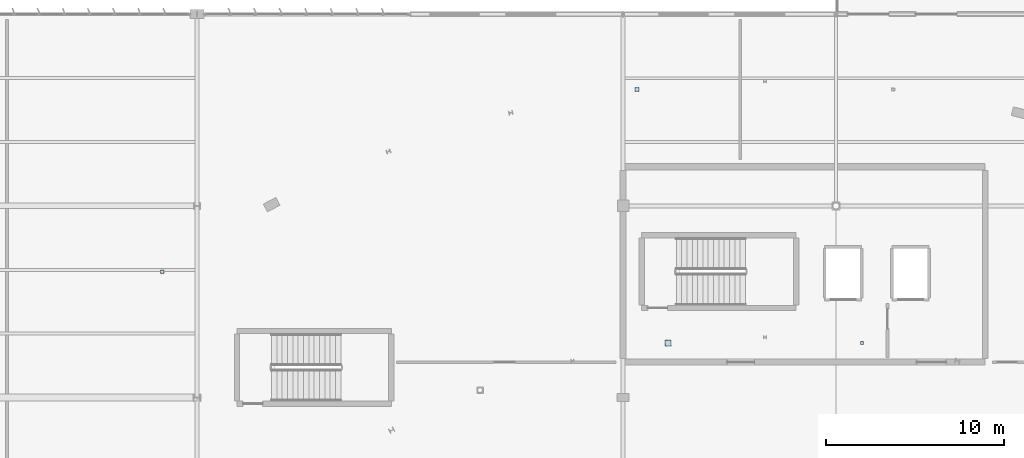
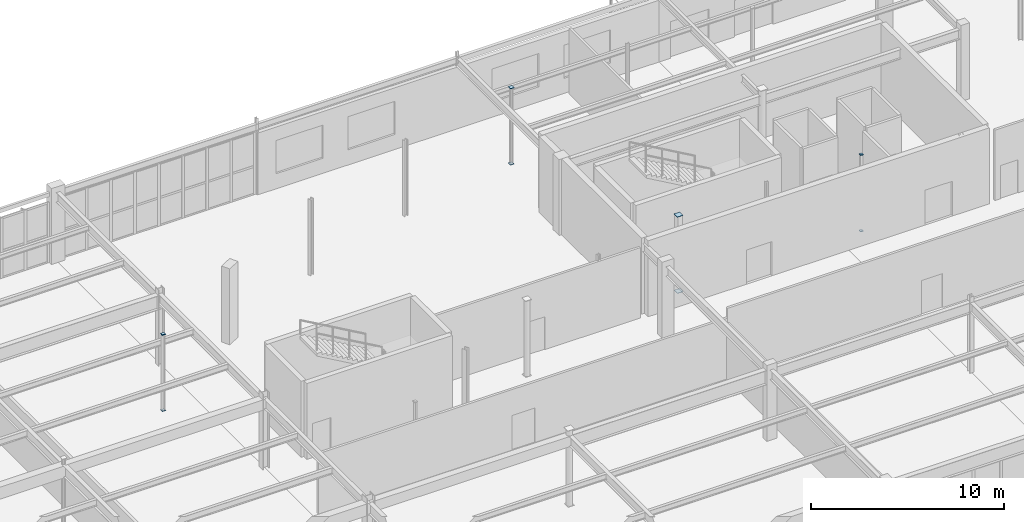
# One storey, part 143 of 199: 8 plates.
"""IFC4 building model written with IfcOpenShell, lengths in metres."""

import ifcopenshell
import ifcopenshell.guid

model = None  # the IFC model being written
_history = None  # IfcOwnerHistory: only IFC2X3 demands one
_inside = {}  # id of a spatial element -> (the spatial element, [elements in it])
_under = {}  # id of a project, library or spatial element -> (it, [spatial elements below it])
_declared = {}  # id of a project -> (the project, [libraries it declares])
_typed = {}  # id of a type object -> (the type object, [elements of that type])
_made_of = {}  # id of a material, layer set ... -> (it, [elements and type objects made of it])


def new_model(schema):
    """Start an empty IFC model of exactly this schema.

    Asked for "IFC4X3", IfcOpenShell would pick the latest addendum, in which some entities
    have other attributes; the version numbers below select the first issue.
    IFC2X3 requires an IfcOwnerHistory on every rooted entity: one is made here for all.
    """
    global model, _history
    if schema == "IFC4X3":
        model = ifcopenshell.file(schema_version=(4, 3, 0, 0))
    else:
        model = ifcopenshell.file(schema=schema)
    _inside.clear()
    _under.clear()
    _declared.clear()
    _typed.clear()
    _made_of.clear()
    _history = None
    if model.schema == "IFC2X3":
        org = make("IfcOrganization", Name="unknown")
        user = make(
            "IfcPersonAndOrganization",
            ThePerson=make("IfcPerson", FamilyName="unknown"),
            TheOrganization=org,
        )
        app = make(
            "IfcApplication",
            ApplicationDeveloper=org,
            Version="unknown",
            ApplicationFullName="unknown",
            ApplicationIdentifier="unknown",
        )
        _history = make(
            "IfcOwnerHistory",
            OwningUser=user,
            OwningApplication=app,
            ChangeAction="ADDED",
            CreationDate=0,
        )
    return model


def make(cls, **values):
    """One entity of the class cls with the attributes given. An attribute that is None is left unset."""
    return model.create_entity(
        cls, **{name: value for name, value in values.items() if value is not None}
    )


def rooted(cls, **values):
    """An entity with a GlobalId (a new one), such as an element, a storey or a relation."""
    return make(cls, GlobalId=ifcopenshell.guid.new(), OwnerHistory=_history, **values)


def si_unit(unit_type, name, prefix=None):
    """IfcSIUnit, for example si_unit("LENGTHUNIT", "METRE", prefix="MILLI")."""
    return make("IfcSIUnit", UnitType=unit_type, Prefix=prefix, Name=name)


def assignment(units):
    """IfcUnitAssignment: the units of a project."""
    return None if units is None else make("IfcUnitAssignment", Units=units)


def point(xyz):
    """IfcCartesianPoint."""
    return None if xyz is None else make("IfcCartesianPoint", Coordinates=xyz)


def direction(xyz):
    """IfcDirection."""
    return None if xyz is None else make("IfcDirection", DirectionRatios=xyz)


def frame(location, z_axis=None, x_axis=None):
    """IfcAxis2Placement3D, a coordinate frame: its origin and axes. An axis left out is left unset."""
    return make(
        "IfcAxis2Placement3D",
        Location=point(location),
        Axis=direction(z_axis),
        RefDirection=direction(x_axis),
    )


def frame_2d(location, x_axis=None):
    """IfcAxis2Placement2D, a coordinate frame in the plane: its origin and x axis."""
    return make(
        "IfcAxis2Placement2D", Location=point(location), RefDirection=direction(x_axis)
    )


def origin():
    """The frame at (0, 0, 0) with its axes left unset."""
    return frame((0.0, 0.0, 0.0))


def origin_2d():
    """The frame at (0, 0) in the plane with its x axis left unset."""
    return frame_2d((0.0, 0.0))


def place(relative_to, where):
    """IfcLocalPlacement: puts the frame where relative to a parent placement (None: the world)."""
    return make(
        "IfcLocalPlacement", PlacementRelTo=relative_to, RelativePlacement=where
    )


def context(
    kind, dimensions, precision=None, world=None, true_north=None, identifier=None
):
    """IfcGeometricRepresentationContext, for example the 3D "Model" context."""
    return make(
        "IfcGeometricRepresentationContext",
        ContextIdentifier=identifier,
        ContextType=kind,
        CoordinateSpaceDimension=dimensions,
        Precision=precision,
        WorldCoordinateSystem=world,
        TrueNorth=true_north,
    )


def subcontext(parent, identifier, kind, view, scale=None):
    """IfcGeometricRepresentationSubContext, for example "Body" below "Model"."""
    return make(
        "IfcGeometricRepresentationSubContext",
        ContextIdentifier=identifier,
        ContextType=kind,
        ParentContext=parent,
        TargetScale=scale,
        TargetView=view,
    )


def project(units=None, contexts=None):
    """IfcProject with its units and contexts."""
    return rooted(
        "IfcProject",
        Name="project",
        RepresentationContexts=contexts,
        UnitsInContext=assignment(units),
    )


def spatial(cls, under=None, at=None, **own):
    """A site, building, storey or space (cls), placed at a placement, below another one or the project."""
    s = rooted(cls, ObjectPlacement=at, **own)
    if under is not None:
        _under.setdefault(under.id(), (under, []))[1].append(s)
    return s


def profile(cls, at=None, kind="AREA", **sizes):
    """A parametric profile (cls). Its sizes go by their IFC names, for example OverallWidth=200.0."""
    return make(cls, ProfileType=kind, Position=at, **sizes)


def rectangle(**sizes):
    """IfcRectangleProfileDef."""
    return profile("IfcRectangleProfileDef", **sizes)


def extrude(swept, where, along, depth):
    """IfcExtrudedAreaSolid: the profile swept, set in the frame where, extruded along a direction by depth."""
    return make(
        "IfcExtrudedAreaSolid",
        SweptArea=swept,
        Position=where,
        ExtrudedDirection=direction(along),
        Depth=depth,
    )


def shape(context_of_items, identifier, shape_type, items):
    """IfcShapeRepresentation: the items that make up one representation, for example the "Body"."""
    return make(
        "IfcShapeRepresentation",
        ContextOfItems=context_of_items,
        RepresentationIdentifier=identifier,
        RepresentationType=shape_type,
        Items=items,
    )


def material(Name=None, Category=None):
    """IfcMaterial."""
    return make("IfcMaterial", Name=Name, Category=Category)


def layer(
    of_material, thickness, ventilated=None, Name=None, Category=None, Priority=None
):
    """IfcMaterialLayer: one layer of a wall or slab, of a material (None: an air gap)."""
    return make(
        "IfcMaterialLayer",
        Material=of_material,
        LayerThickness=thickness,
        IsVentilated=ventilated,
        Name=Name,
        Category=Category,
        Priority=Priority,
    )


def layer_set(layers, Name=None):
    """IfcMaterialLayerSet."""
    return make("IfcMaterialLayerSet", MaterialLayers=layers, LayerSetName=Name)


def made_of(thing, what):
    """Note that an element or type object is made of a material, layer set ...; save() writes the relation."""
    if what is not None:
        _made_of.setdefault(what.id(), (what, []))[1].append(thing)
    return thing


def type_object(cls, material=None, **own):
    """A type object (cls), such as IfcWallType, which elements share."""
    return made_of(rooted(cls, **own), material)


def element(
    cls,
    number,
    at=None,
    inside=None,
    cuts=None,
    type_object=None,
    material=None,
    context=None,
    identifier="Body",
    shape_type=None,
    held_by="IfcProductDefinitionShape",
    body=None,
    shapes=None,
    **own,
):
    """One element of the class cls, such as IfcWall. Its Tag is "e" and its number.

    at: its placement. inside: the storey or other place that contains it. cuts: it is an
    opening in that element (IfcRelVoidsElement). A single representation is given by context,
    identifier, shape_type and body (its items); several are given by shapes. held_by: the class
    of the entity that holds the representations. save() writes the other relations.
    """
    e = rooted(cls, Tag="e%d" % number, ObjectPlacement=at, **own)
    if body is not None:
        shapes = [shape(context, identifier, shape_type, body)]
    if shapes is not None:
        e.Representation = make(held_by, Representations=shapes)
    if inside is not None:
        _inside.setdefault(inside.id(), (inside, []))[1].append(e)
    if cuts is not None:
        rooted(
            "IfcRelVoidsElement", RelatingBuildingElement=cuts, RelatedOpeningElement=e
        )
    if type_object is not None:
        _typed.setdefault(type_object.id(), (type_object, []))[1].append(e)
    return made_of(e, material)


def aggregate(whole, parts):
    """IfcRelAggregates: a whole, such as a stair, and the parts it consists of."""
    return rooted("IfcRelAggregates", RelatingObject=whole, RelatedObjects=parts)


def save(model, path):
    """Write the relations noted so far, then the file.

    IfcRelAggregates (storeys below a building ...), IfcRelContainedInSpatialStructure (elements
    in a storey), IfcRelDefinesByType, IfcRelAssociatesMaterial and IfcRelDeclares: one each for
    every whole, place, type object, material and project.
    """
    for whole, parts in _under.values():
        aggregate(whole, parts)
    for where, things in _inside.values():
        rooted(
            "IfcRelContainedInSpatialStructure",
            RelatedElements=things,
            RelatingStructure=where,
        )
    for kind, things in _typed.values():
        rooted("IfcRelDefinesByType", RelatedObjects=things, RelatingType=kind)
    for what, things in _made_of.values():
        rooted("IfcRelAssociatesMaterial", RelatedObjects=things, RelatingMaterial=what)
    for by, libraries in _declared.values():
        rooted("IfcRelDeclares", RelatingContext=by, RelatedDefinitions=libraries)
    model.write(path)


model = new_model("IFC4")

# Units and contexts
model_context = context("Model", 3, precision=1e-05, world=origin(), true_north=direction((0.0, 1.0)))
body_context = subcontext(model_context, "Body", "Model", "MODEL_VIEW")
ifc_project = project(units=[si_unit("LENGTHUNIT", "METRE"), si_unit("AREAUNIT", "SQUARE_METRE"), si_unit("VOLUMEUNIT", "CUBIC_METRE"), si_unit("PLANEANGLEUNIT", "RADIAN"), si_unit("MASSUNIT", "GRAM", prefix="KILO")], contexts=[model_context])

# Site, building, storey
site_placement = place(None, origin())
site = spatial("IfcSite", under=ifc_project, at=site_placement, CompositionType="ELEMENT")
building_placement = place(site_placement, origin())
building = spatial("IfcBuilding", under=site, at=building_placement, Name="Tarnwether General Hospital", CompositionType="ELEMENT")
storey_placement = place(building_placement, origin())
storey = spatial("IfcBuildingStorey", under=building, at=storey_placement, Name="L00", CompositionType="ELEMENT", Elevation=0.0)

# Plates
ifc_material = material(Name="Steel Grade 350 (350 MPa)", Category="steel")
ifc_layer = layer(ifc_material, 0.02490234375)
ifc_layer_set = layer_set([ifc_layer], Name="Steel Grade 350 (350 MPa)")
plate_type = type_object("IfcPlateType", Name="PT-GUS2", PredefinedType="USERDEFINED", material=ifc_layer_set)
for number, where, z_axis, x_axis, name in (
    (1, (58.0439453125, 111.493896484375, -0.02490234375), (0.0, 0.0, 1.0), (1.0, 0.0, 0.0), "Hollow Section Welded End Cap Plate 0453"),
    (2, (58.0439453125, 111.493896484375, 4.800048828125), (0.0, 0.0, 1.0), (1.0, 0.0, 0.0), "Hollow Section Welded End Cap Plate 0454"),
):
    element("IfcPlate", number, at=place(storey_placement, frame(where, z_axis=z_axis, x_axis=x_axis)), inside=storey, type_object=plate_type, Name=name, ObjectType="GUSSET", PredefinedType="USERDEFINED", context=body_context, shape_type="SweptSolid", body=[
        extrude(rectangle(XDim=0.18994140625, YDim=0.18994140625, at=origin_2d()), origin(), (0.0, 0.0, 1.0), 0.02490234375),
    ])
for number, where, z_axis, x_axis, name in (
    (3, (84.784912109375, 121.759033203125, -0.02490234375), (0.0, 0.0, 1.0), (1.0, 0.0, 0.0), "Hollow Section Welded End Cap Plate 0507"),
    (4, (84.784912109375, 121.759033203125, 4.800048828125), (0.0, 0.0, 1.0), (1.0, 0.0, 0.0), "Hollow Section Welded End Cap Plate 0508"),
):
    element("IfcPlate", number, at=place(storey_placement, frame(where, z_axis=z_axis, x_axis=x_axis)), inside=storey, type_object=plate_type, Name=name, ObjectType="GUSSET", PredefinedType="USERDEFINED", context=body_context, shape_type="SweptSolid", body=[
        extrude(rectangle(XDim=0.23388671875, YDim=0.23388671875, at=origin_2d()), origin(), (0.0, 0.0, 1.0), 0.02490234375),
    ])
for number, where, z_axis, x_axis, name in (
    (5, (86.5400390625, 107.466064453125, -0.02490234375), (0.0, 0.0, 1.0), (1.0, 0.0, 0.0), "Hollow Section Welded End Cap Plate 0517"),
    (6, (86.5400390625, 107.466064453125, 4.800048828125), (0.0, 0.0, 1.0), (1.0, 0.0, 0.0), "Hollow Section Welded End Cap Plate 0518"),
):
    element("IfcPlate", number, at=place(storey_placement, frame(where, z_axis=z_axis, x_axis=x_axis)), inside=storey, type_object=plate_type, Name=name, ObjectType="GUSSET", PredefinedType="USERDEFINED", context=body_context, shape_type="SweptSolid", body=[
        extrude(rectangle(XDim=0.340087890625, YDim=0.340087890625, at=origin_2d()), origin(), (0.0, 0.0, 1.0), 0.02490234375),
    ])
for number, where, z_axis, x_axis, name in (
    (7, (97.4599609375, 107.466064453125, -0.02490234375), (0.0, 0.0, 1.0), (1.0, 0.0, 0.0), "Hollow Section Welded End Cap Plate 0545"),
    (8, (97.4599609375, 107.466064453125, 4.800048828125), (0.0, 0.0, 1.0), (1.0, 0.0, 0.0), "Hollow Section Welded End Cap Plate 0546"),
):
    element("IfcPlate", number, at=place(storey_placement, frame(where, z_axis=z_axis, x_axis=x_axis)), inside=storey, type_object=plate_type, Name=name, ObjectType="GUSSET", PredefinedType="USERDEFINED", context=body_context, shape_type="SweptSolid", body=[
        extrude(rectangle(XDim=0.1650390625, YDim=0.1650390625, at=origin_2d()), origin(), (0.0, 0.0, 1.0), 0.02490234375),
    ])

save(model, "model.ifc")
